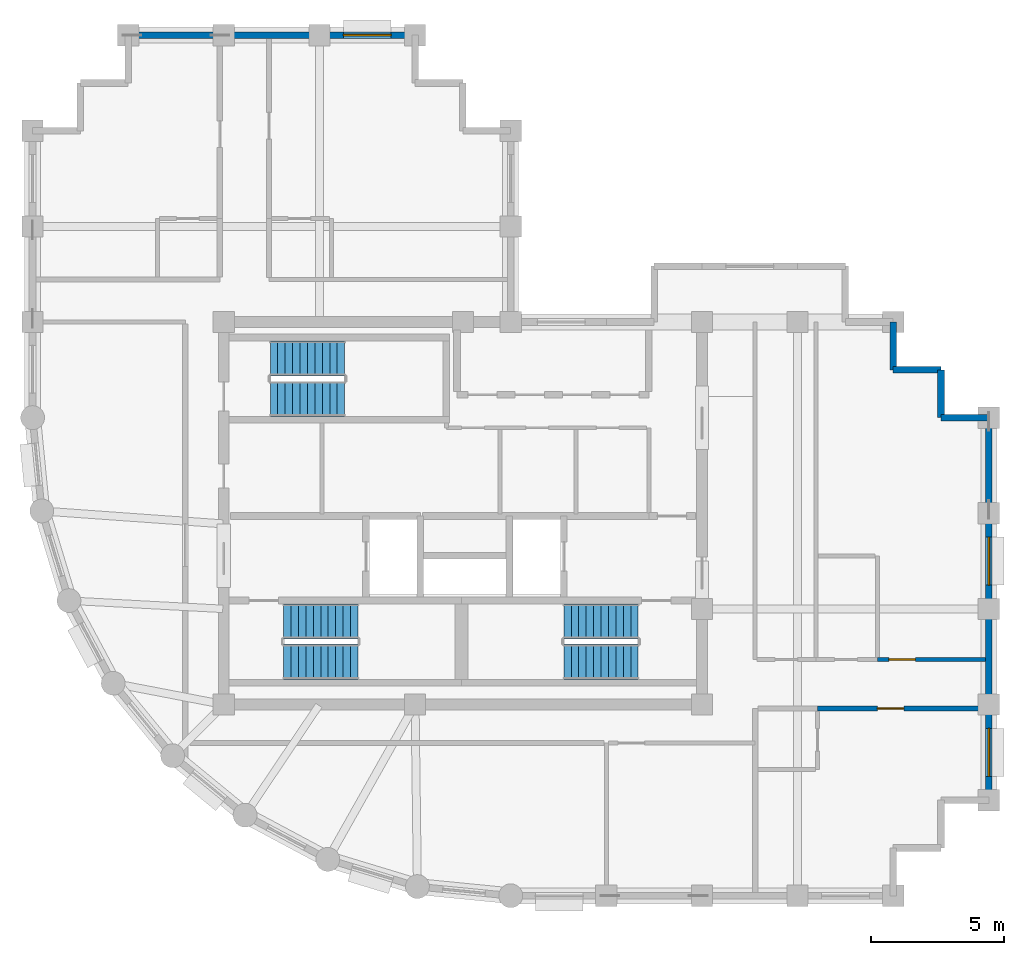
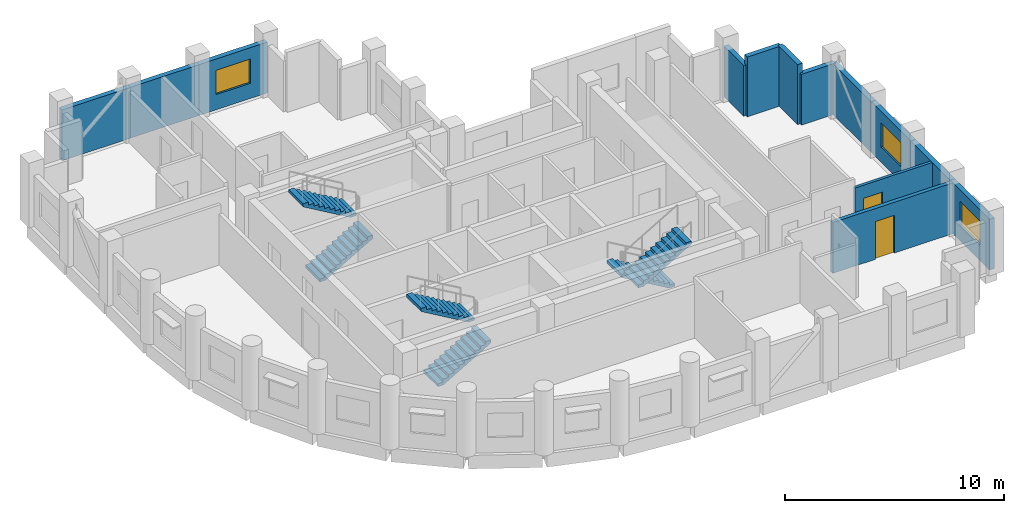
# One storey, part 5 of 7: 13 walls, 6 stair flights, 3 windows, 2 doors, 5 openings, 3 elements without a shape of their own.
"""IFC4 building model written with IfcOpenShell, lengths in metres."""

from ifc_helpers import new_model, si_unit, direction, frame, frame_2d, origin, place, context, subcontext, project, spatial, polyline, rectangle, outline, extrude, material, layer, layer_set, type_object, element, fill, aggregate, save


model = new_model("IFC4")

# Units and contexts
model_context = context("Model", 3, precision=1e-05, world=origin(), true_north=direction((0.0, 1.0)))
body_context = subcontext(model_context, "Body", "Model", "MODEL_VIEW")
ifc_project = project(units=[si_unit("LENGTHUNIT", "METRE"), si_unit("AREAUNIT", "SQUARE_METRE"), si_unit("VOLUMEUNIT", "CUBIC_METRE"), si_unit("PLANEANGLEUNIT", "RADIAN"), si_unit("MASSUNIT", "GRAM", prefix="KILO")], contexts=[model_context])

# Site, building, storey
site_placement = place(None, origin())
site = spatial("IfcSite", under=ifc_project, at=site_placement, CompositionType="ELEMENT")
building_placement = place(site_placement, origin())
building = spatial("IfcBuilding", under=site, at=building_placement, Name="Solnavia Interchange Tower", CompositionType="ELEMENT")
storey_placement = place(building_placement, frame((0.0, 0.0, 281.0)))
storey = spatial("IfcBuildingStorey", under=building, at=storey_placement, Name="L71", CompositionType="ELEMENT", Elevation=281.0)

# Wall, opening, door
ifc_material_1 = material(Name="Gypsum Acoustic Twin-Stud & Mineral Wool", Category="gypsum")
ifc_layer_1 = layer(ifc_material_1, 0.199951171875)
ifc_layer_set_1 = layer_set([ifc_layer_1], Name="Gypsum Acoustic Twin-Stud & Mineral Wool")
wall_type_1 = type_object("IfcWallType", Name="Wall-ApartmentParty-200", PredefinedType="PARTITIONING", material=ifc_layer_set_1)
wall_1_placement = place(storey_placement, frame((36.75, 10.64990234375, 0.0), z_axis=(0.0, 0.0, 1.0), x_axis=(1.0, 0.0, 0.0)))
wall_1 = element("IfcWall", 1, at=wall_1_placement, inside=storey, type_object=wall_type_1, Name="PTW-L71-14 Interior partition wall", PredefinedType="PARTITIONING", context=body_context, shape_type="SweptSolid", body=[
    extrude(rectangle(XDim=6.321044921875, YDim=0.199951171875, at=frame_2d((3.16064453125, 0.0))), origin(), (0.0, 0.0, 1.0), 2.830078125),
])
opening_1_placement = place(wall_1_placement, frame((2.251953125, 0.0, 0.0)))
opening_1 = element("IfcOpeningElement", 2, at=opening_1_placement, cuts=wall_1, Name="Opening DR-06", PredefinedType="OPENING", context=body_context, shape_type="SweptSolid", body=[
    extrude(rectangle(XDim=1.0, YDim=2.10009765625, at=frame_2d((0.5, 1.050048828125))), frame((0.0, 0.10986328125, 0.0), z_axis=(0.0, -1.0, 0.0), x_axis=(1.0, 0.0, 0.0)), (0.0, 0.0, 1.0), 0.219970703125),
])
ifc_material_2 = material(Name="Engineered Timber Acoustic Fire Door", Category="wood")
door_type_1 = type_object("IfcDoorType", Name="Door-FlatEntry-1000x2100", OperationType="SINGLE_SWING_LEFT", PredefinedType="DOOR", material=ifc_material_2)
door_1_placement = place(opening_1_placement, origin())
door_1 = element("IfcDoor", 3, at=door_1_placement, inside=storey, type_object=door_type_1, Name="DR-L71-05 Interior room door", OperationType="SINGLE_SWING_LEFT", OverallHeight=2.10009765625, OverallWidth=1.0, PredefinedType="DOOR", context=body_context, shape_type="SweptSolid", body=[
    extrude(rectangle(XDim=1.0, YDim=2.10009765625, at=frame_2d((0.5, 1.050048828125))), frame((0.0, 0.02490234375, 0.0), z_axis=(0.0, -1.0, 0.0), x_axis=(1.0, 0.0, 0.0)), (0.0, 0.0, 1.0), 0.050048828125),
])
fill(opening_1, door_1)

# Wall, opening, window
ifc_material_3 = material(Name="Concrete C40/50", Category="concrete")
ifc_layer_2 = layer(ifc_material_3, 0.25)
ifc_layer_set_2 = layer_set([ifc_layer_2], Name="Concrete C40/50")
wall_type_2 = type_object("IfcWallType", Name="Wall-ExtSpandrel-250", PredefinedType="STANDARD", material=ifc_layer_set_2)
wall_2_placement = place(storey_placement, frame((43.199951171875, 10.800048828125, 0.0), z_axis=(0.0, 0.0, 1.0), x_axis=(0.0, -1.0, 0.0)))
wall_2 = element("IfcWall", 4, at=wall_2_placement, inside=storey, type_object=wall_type_2, Name="EXW-L71-09 Exterior precast spandrel wall", PredefinedType="STANDARD", context=body_context, shape_type="SweptSolid", body=[
    extrude(rectangle(XDim=3.60009765625, YDim=0.25, at=frame_2d((1.800048828125, 0.0))), origin(), (0.0, 0.0, 1.0), 2.830078125),
])
opening_2_placement = place(wall_2_placement, frame((0.89990234375, 0.0, 0.85009765625)))
opening_2 = element("IfcOpeningElement", 5, at=opening_2_placement, cuts=wall_2, Name="Opening WIN-02", PredefinedType="OPENING", context=body_context, shape_type="SweptSolid", body=[
    extrude(rectangle(XDim=1.800048828125, YDim=1.35009765625, at=frame_2d((0.89990234375, 0.675048828125))), frame((0.0, 0.135009765625, 0.0), z_axis=(0.0, -1.0, 0.0), x_axis=(1.0, 0.0, 0.0)), (0.0, 0.0, 1.0), 0.27001953125),
])
ifc_material_4 = material(Name="Thermal-Break Aluminium & Low-E Glass", Category="aluminium")
window_type = type_object("IfcWindowType", Name="Window-Ribbon-1800x1350", PartitioningType="SINGLE_PANEL", PredefinedType="WINDOW", material=ifc_material_4)
window_1_placement = place(opening_2_placement, origin())
window_1 = element("IfcWindow", 6, at=window_1_placement, inside=storey, type_object=window_type, Name="WIN-L71-09 Facade ribbon window", OverallHeight=1.35009765625, OverallWidth=1.800048828125, PartitioningType="SINGLE_PANEL", PredefinedType="WINDOW", context=body_context, shape_type="SweptSolid", body=[
    extrude(rectangle(XDim=1.800048828125, YDim=1.35009765625, at=frame_2d((0.89990234375, 0.675048828125))), frame((0.0, 0.030029296875, 0.0), z_axis=(0.0, -1.0, 0.0), x_axis=(1.0, 0.0, 0.0)), (0.0, 0.0, 1.0), 0.06005859375),
])
fill(opening_2, window_1)

# Wall
wall_3_placement = place(storey_placement, frame((43.199951171875, 14.39990234375, 0.0), z_axis=(0.0, 0.0, 1.0), x_axis=(0.0, -1.0, 0.0)))
element("IfcWall", 7, at=wall_3_placement, inside=storey, type_object=wall_type_2, Name="EXW-L71-10 Exterior precast spandrel wall", PredefinedType="STANDARD", context=body_context, shape_type="SweptSolid", body=[
    extrude(rectangle(XDim=3.599853515625, YDim=0.25, at=frame_2d((1.7998046875, 0.0))), origin(), (0.0, 0.0, 1.0), 2.830078125),
])

# Wall, opening, window
wall_4_placement = place(storey_placement, frame((43.199951171875, 18.0, 0.0), z_axis=(0.0, 0.0, 1.0), x_axis=(0.0, -1.0, 0.0)))
wall_4 = element("IfcWall", 8, at=wall_4_placement, inside=storey, type_object=wall_type_2, Name="EXW-L71-11 Exterior precast spandrel wall", PredefinedType="STANDARD", context=body_context, shape_type="SweptSolid", body=[
    extrude(rectangle(XDim=3.60009765625, YDim=0.25, at=frame_2d((1.800048828125, 0.0))), origin(), (0.0, 0.0, 1.0), 2.830078125),
])
opening_3_placement = place(wall_4_placement, frame((0.89990234375, 0.0, 0.85009765625)))
opening_3 = element("IfcOpeningElement", 9, at=opening_3_placement, cuts=wall_4, Name="Opening WIN-02", PredefinedType="OPENING", context=body_context, shape_type="SweptSolid", body=[
    extrude(rectangle(XDim=1.800048828125, YDim=1.35009765625, at=frame_2d((0.89990234375, 0.675048828125))), frame((0.0, 0.135009765625, 0.0), z_axis=(0.0, -1.0, 0.0), x_axis=(1.0, 0.0, 0.0)), (0.0, 0.0, 1.0), 0.27001953125),
])
window_2_placement = place(opening_3_placement, origin())
window_2 = element("IfcWindow", 10, at=window_2_placement, inside=storey, type_object=window_type, Name="WIN-L71-11 Facade ribbon window", OverallHeight=1.35009765625, OverallWidth=1.800048828125, PartitioningType="SINGLE_PANEL", PredefinedType="WINDOW", context=body_context, shape_type="SweptSolid", body=[
    extrude(rectangle(XDim=1.800048828125, YDim=1.35009765625, at=frame_2d((0.89990234375, 0.675048828125))), frame((0.0, 0.030029296875, 0.0), z_axis=(0.0, -1.0, 0.0), x_axis=(1.0, 0.0, 0.0)), (0.0, 0.0, 1.0), 0.06005859375),
])
fill(opening_3, window_2)

# Walls
wall_5_placement = place(storey_placement, frame((43.199951171875, 21.60009765625, 0.0), z_axis=(0.0, 0.0, 1.0), x_axis=(0.0, -1.0, 0.0)))
element("IfcWall", 11, at=wall_5_placement, inside=storey, type_object=wall_type_2, Name="EXW-L71-12 Exterior precast spandrel wall", PredefinedType="STANDARD", context=body_context, shape_type="SweptSolid", body=[
    extrude(rectangle(XDim=3.60009765625, YDim=0.25, at=frame_2d((1.800048828125, 0.0))), origin(), (0.0, 0.0, 1.0), 2.830078125),
])
wall_6_placement = place(storey_placement, frame((41.39990234375, 21.60009765625, 0.0), z_axis=(0.0, 0.0, 1.0), x_axis=(1.0, 0.0, 0.0)))
element("IfcWall", 12, at=wall_6_placement, inside=storey, type_object=wall_type_2, Name="EXW-L71-13 Exterior precast spandrel wall", PredefinedType="STANDARD", context=body_context, shape_type="SweptSolid", body=[
    extrude(rectangle(XDim=1.800048828125, YDim=0.25, at=frame_2d((0.89990234375, 0.0))), origin(), (0.0, 0.0, 1.0), 2.830078125),
])
for number, where, z_axis, x_axis, name in (
    (13, (41.39990234375, 23.39990234375, 0.0), (0.0, 0.0, 1.0), (0.0, -1.0, 0.0), "EXW-L71-14 Exterior precast spandrel wall"),
    (14, (39.60009765625, 23.39990234375, 0.0), (0.0, 0.0, 1.0), (1.0, 0.0, 0.0), "EXW-L71-15 Exterior precast spandrel wall"),
):
    element("IfcWall", number, at=place(storey_placement, frame(where, z_axis=z_axis, x_axis=x_axis)), inside=storey, type_object=wall_type_2, Name=name, PredefinedType="STANDARD", context=body_context, shape_type="SweptSolid", body=[
        extrude(rectangle(XDim=1.7998046875, YDim=0.25, at=frame_2d((0.89990234375, 0.0))), origin(), (0.0, 0.0, 1.0), 3.3349609375),
    ])
wall_7_placement = place(storey_placement, frame((39.60009765625, 25.199951171875, 0.0), z_axis=(0.0, 0.0, 1.0), x_axis=(0.0, -1.0, 0.0)))
element("IfcWall", 15, at=wall_7_placement, inside=storey, type_object=wall_type_2, Name="EXW-L71-16 Exterior precast spandrel wall", PredefinedType="STANDARD", context=body_context, shape_type="SweptSolid", body=[
    extrude(rectangle(XDim=1.800048828125, YDim=0.25, at=frame_2d((0.89990234375, 0.0))), origin(), (0.0, 0.0, 1.0), 2.830078125),
])

# Wall, opening, window
wall_8_placement = place(storey_placement, frame((18.0, 36.0, 0.0), z_axis=(0.0, 0.0, 1.0), x_axis=(1.0, 0.0, 0.0)))
wall_8 = element("IfcWall", 16, at=wall_8_placement, inside=storey, type_object=wall_type_2, Name="EXW-L71-31 Exterior precast spandrel wall", PredefinedType="STANDARD", context=body_context, shape_type="SweptSolid", body=[
    extrude(rectangle(XDim=3.60009765625, YDim=0.25, at=frame_2d((1.800048828125, 0.0))), origin(), (0.0, 0.0, 1.0), 2.830078125),
])
opening_4_placement = place(wall_8_placement, frame((0.89990234375, 0.0, 0.85009765625)))
opening_4 = element("IfcOpeningElement", 17, at=opening_4_placement, cuts=wall_8, Name="Opening WIN-02", PredefinedType="OPENING", context=body_context, shape_type="SweptSolid", body=[
    extrude(rectangle(XDim=1.800048828125, YDim=1.35009765625, at=frame_2d((0.89990234375, 0.675048828125))), frame((0.0, 0.135009765625, 0.0), z_axis=(0.0, -1.0, 0.0), x_axis=(1.0, 0.0, 0.0)), (0.0, 0.0, 1.0), 0.27001953125),
])
window_3_placement = place(opening_4_placement, origin())
window_3 = element("IfcWindow", 18, at=window_3_placement, inside=storey, type_object=window_type, Name="WIN-L71-31 Facade ribbon window", OverallHeight=1.35009765625, OverallWidth=1.800048828125, PartitioningType="SINGLE_PANEL", PredefinedType="WINDOW", context=body_context, shape_type="SweptSolid", body=[
    extrude(rectangle(XDim=1.800048828125, YDim=1.35009765625, at=frame_2d((0.89990234375, 0.675048828125))), frame((0.0, 0.030029296875, 0.0), z_axis=(0.0, -1.0, 0.0), x_axis=(1.0, 0.0, 0.0)), (0.0, 0.0, 1.0), 0.06005859375),
])
fill(opening_4, window_3)

# Walls
wall_9_placement = place(storey_placement, frame((14.39990234375, 36.0, 0.0), z_axis=(0.0, 0.0, 1.0), x_axis=(1.0, 0.0, 0.0)))
element("IfcWall", 19, at=wall_9_placement, inside=storey, type_object=wall_type_2, Name="EXW-L71-32 Exterior precast spandrel wall", PredefinedType="STANDARD", context=body_context, shape_type="SweptSolid", body=[
    extrude(rectangle(XDim=3.60009765625, YDim=0.25, at=frame_2d((1.800048828125, 0.0))), origin(), (0.0, 0.0, 1.0), 2.830078125),
])
wall_10_placement = place(storey_placement, frame((10.800048828125, 36.0, 0.0), z_axis=(0.0, 0.0, 1.0), x_axis=(1.0, 0.0, 0.0)))
element("IfcWall", 20, at=wall_10_placement, inside=storey, type_object=wall_type_2, Name="EXW-L71-33 Exterior precast spandrel wall", PredefinedType="STANDARD", context=body_context, shape_type="SweptSolid", body=[
    extrude(rectangle(XDim=3.599853515625, YDim=0.25, at=frame_2d((1.7998046875, 0.0))), origin(), (0.0, 0.0, 1.0), 2.830078125),
])

# Wall, opening, door
ifc_material_5 = material(Name="Gypsum Plasterboard & Steel Stud", Category="steel")
ifc_layer_3 = layer(ifc_material_5, 0.14990234375)
ifc_layer_set_3 = layer_set([ifc_layer_3], Name="Gypsum Plasterboard & Steel Stud")
wall_type_3 = type_object("IfcWallType", Name="Wall-Partition-150", PredefinedType="PARTITIONING", material=ifc_layer_set_3)
wall_11_placement = place(storey_placement, frame((39.0, 12.5, 0.0), z_axis=(0.0, 0.0, 1.0), x_axis=(1.0, 0.0, 0.0)))
wall_11 = element("IfcWall", 21, at=wall_11_placement, inside=storey, type_object=wall_type_3, Name="PTW-L71-17 Interior partition wall", PredefinedType="PARTITIONING", context=body_context, shape_type="SweptSolid", body=[
    extrude(rectangle(XDim=4.071044921875, YDim=0.14990234375, at=frame_2d((2.03564453125, 0.0))), origin(), (0.0, 0.0, 1.0), 2.830078125),
])
opening_5_placement = place(wall_11_placement, frame((0.43798828125, 0.0, 0.0)))
opening_5 = element("IfcOpeningElement", 22, at=opening_5_placement, cuts=wall_11, Name="Opening DR-07", PredefinedType="OPENING", context=body_context, shape_type="SweptSolid", body=[
    extrude(rectangle(XDim=1.0, YDim=2.10009765625, at=frame_2d((0.5, 1.050048828125))), frame((0.0, 0.0849609375, 0.0), z_axis=(0.0, -1.0, 0.0), x_axis=(1.0, 0.0, 0.0)), (0.0, 0.0, 1.0), 0.169921875),
])
ifc_material_6 = material(Name="Timber & Acoustic Glazed Office Door", Category="wood")
door_type_2 = type_object("IfcDoorType", Name="Door-Office-1000x2100", OperationType="SINGLE_SWING_RIGHT", PredefinedType="DOOR", material=ifc_material_6)
door_2_placement = place(opening_5_placement, origin())
door_2 = element("IfcDoor", 23, at=door_2_placement, inside=storey, type_object=door_type_2, Name="DR-L71-07 Interior room door", OperationType="SINGLE_SWING_RIGHT", OverallHeight=2.10009765625, OverallWidth=1.0, PredefinedType="DOOR", context=body_context, shape_type="SweptSolid", body=[
    extrude(rectangle(XDim=1.0, YDim=2.10009765625, at=frame_2d((0.5, 1.050048828125))), frame((0.0, 0.02490234375, 0.0), z_axis=(0.0, -1.0, 0.0), x_axis=(1.0, 0.0, 0.0)), (0.0, 0.0, 1.0), 0.050048828125),
])
fill(opening_5, door_2)

# Stair, stair flights
stair_type = type_object("IfcStairType", Name="Stair-Dogleg-RC", PredefinedType="HALF_TURN_STAIR", material=ifc_material_3)
stair_1_placement = place(storey_placement, origin())
stair_1 = element("IfcStair", 24, at=stair_1_placement, inside=storey, type_object=stair_type, Name="L71 Core exit stair 1", PredefinedType="HALF_TURN_STAIR")
stair_flight_type = type_object("IfcStairFlightType", Name="StairFlight-RC-150", PredefinedType="STRAIGHT", material=ifc_material_3)
stair_flight_1_placement = place(storey_placement, frame((16.64990234375, 12.409912109375, 0.0), z_axis=(0.0, 0.0, 1.0), x_axis=(1.0, 0.0, 0.0)))
stair_flight_1 = element("IfcStairFlight", 25, at=stair_flight_1_placement, type_object=stair_flight_type, Name="ST-1 flight 1", NumberOfRisers=11, NumberOfTreads=10, PredefinedType="STRAIGHT", RiserHeight=0.163636364, TreadLength=0.28, context=body_context, shape_type="SweptSolid", body=[
    extrude(outline(polyline([(0.0, 0.0), (0.0, 0.16357421875), (0.280029296875, 0.16357421875), (0.280029296875, 0.327392578125), (0.56005859375, 0.327392578125), (0.56005859375, 0.490966796875), (0.840087890625, 0.490966796875), (0.840087890625, 0.654541015625), (1.1201171875, 0.654541015625), (1.1201171875, 0.818115234375), (1.39990234375, 0.818115234375), (1.39990234375, 0.98193359375), (1.679931640625, 0.98193359375), (1.679931640625, 1.1455078125), (1.9599609375, 1.1455078125), (1.9599609375, 1.30908203125), (2.239990234375, 1.30908203125), (2.239990234375, 1.47265625), (2.52001953125, 1.47265625), (2.52001953125, 1.636474609375), (2.800048828125, 1.636474609375), (2.800048828125, 1.800048828125), (2.800048828125, 1.462646484375), (0.297119140625, 0.0), (0.0, 0.0)])), frame((0.0, 0.66015625, 0.0), z_axis=(0.0, -1.0, 0.0), x_axis=(1.0, 0.0, 0.0)), (0.0, 0.0, 1.0), 1.320068359375),
])
stair_flight_2_placement = place(storey_placement, frame((19.449951171875, 13.929931640625, 1.800048828125), z_axis=(0.0, 0.0, 1.0), x_axis=(-1.0, 0.0, 0.0)))
stair_flight_2 = element("IfcStairFlight", 26, at=stair_flight_2_placement, type_object=stair_flight_type, Name="ST-1 flight 2", NumberOfRisers=11, NumberOfTreads=10, PredefinedType="STRAIGHT", RiserHeight=0.163636364, TreadLength=0.28, context=body_context, shape_type="SweptSolid", body=[
    extrude(outline(polyline([(0.0, 0.0), (0.0, 0.16357421875), (0.280029296875, 0.16357421875), (0.280029296875, 0.327392578125), (0.56005859375, 0.327392578125), (0.56005859375, 0.490966796875), (0.840087890625, 0.490966796875), (0.840087890625, 0.654541015625), (1.1201171875, 0.654541015625), (1.1201171875, 0.818115234375), (1.39990234375, 0.818115234375), (1.39990234375, 0.98193359375), (1.679931640625, 0.98193359375), (1.679931640625, 1.1455078125), (1.9599609375, 1.1455078125), (1.9599609375, 1.30908203125), (2.239990234375, 1.30908203125), (2.239990234375, 1.47265625), (2.52001953125, 1.47265625), (2.52001953125, 1.636474609375), (2.800048828125, 1.636474609375), (2.800048828125, 1.800048828125), (2.800048828125, 1.462646484375), (0.297119140625, 0.0), (0.0, 0.0)])), frame((0.0, 0.66015625, 0.0), z_axis=(0.0, -1.0, 0.0), x_axis=(1.0, 0.0, 0.0)), (0.0, 0.0, 1.0), 1.320068359375),
])
aggregate(stair_1, [stair_flight_1, stair_flight_2])

stair_2_placement = place(storey_placement, origin())
stair_2 = element("IfcStair", 27, at=stair_2_placement, inside=storey, type_object=stair_type, Name="L71 Core exit stair 2", PredefinedType="HALF_TURN_STAIR")
stair_flight_3_placement = place(storey_placement, frame((30.0, 13.929931640625, 0.0), z_axis=(0.0, 0.0, 1.0), x_axis=(-1.0, 0.0, 0.0)))
stair_flight_3 = element("IfcStairFlight", 28, at=stair_flight_3_placement, type_object=stair_flight_type, Name="ST-2 flight 1", NumberOfRisers=11, NumberOfTreads=10, PredefinedType="STRAIGHT", RiserHeight=0.163636364, TreadLength=0.28, context=body_context, shape_type="SweptSolid", body=[
    extrude(outline(polyline([(0.0, 0.0), (0.0, 0.16357421875), (0.280029296875, 0.16357421875), (0.280029296875, 0.327392578125), (0.56005859375, 0.327392578125), (0.56005859375, 0.490966796875), (0.840087890625, 0.490966796875), (0.840087890625, 0.654541015625), (1.1201171875, 0.654541015625), (1.1201171875, 0.818115234375), (1.39990234375, 0.818115234375), (1.39990234375, 0.98193359375), (1.679931640625, 0.98193359375), (1.679931640625, 1.1455078125), (1.9599609375, 1.1455078125), (1.9599609375, 1.30908203125), (2.239990234375, 1.30908203125), (2.239990234375, 1.47265625), (2.52001953125, 1.47265625), (2.52001953125, 1.636474609375), (2.800048828125, 1.636474609375), (2.800048828125, 1.800048828125), (2.800048828125, 1.462646484375), (0.297119140625, 0.0), (0.0, 0.0)])), frame((0.0, 0.66015625, 0.0), z_axis=(0.0, -1.0, 0.0), x_axis=(1.0, 0.0, 0.0)), (0.0, 0.0, 1.0), 1.320068359375),
])
stair_flight_4_placement = place(storey_placement, frame((27.199951171875, 12.409912109375, 1.800048828125), z_axis=(0.0, 0.0, 1.0), x_axis=(1.0, 0.0, 0.0)))
stair_flight_4 = element("IfcStairFlight", 29, at=stair_flight_4_placement, type_object=stair_flight_type, Name="ST-2 flight 2", NumberOfRisers=11, NumberOfTreads=10, PredefinedType="STRAIGHT", RiserHeight=0.163636364, TreadLength=0.28, context=body_context, shape_type="SweptSolid", body=[
    extrude(outline(polyline([(0.0, 0.0), (0.0, 0.16357421875), (0.280029296875, 0.16357421875), (0.280029296875, 0.327392578125), (0.56005859375, 0.327392578125), (0.56005859375, 0.490966796875), (0.840087890625, 0.490966796875), (0.840087890625, 0.654541015625), (1.1201171875, 0.654541015625), (1.1201171875, 0.818115234375), (1.39990234375, 0.818115234375), (1.39990234375, 0.98193359375), (1.679931640625, 0.98193359375), (1.679931640625, 1.1455078125), (1.9599609375, 1.1455078125), (1.9599609375, 1.30908203125), (2.239990234375, 1.30908203125), (2.239990234375, 1.47265625), (2.52001953125, 1.47265625), (2.52001953125, 1.636474609375), (2.800048828125, 1.636474609375), (2.800048828125, 1.800048828125), (2.800048828125, 1.462646484375), (0.297119140625, 0.0), (0.0, 0.0)])), frame((0.0, 0.66015625, 0.0), z_axis=(0.0, -1.0, 0.0), x_axis=(1.0, 0.0, 0.0)), (0.0, 0.0, 1.0), 1.320068359375),
])
aggregate(stair_2, [stair_flight_3, stair_flight_4])

stair_3_placement = place(storey_placement, origin())
stair_3 = element("IfcStair", 30, at=stair_3_placement, inside=storey, type_object=stair_type, Name="L71 Core exit stair 3", PredefinedType="HALF_TURN_STAIR")
stair_flight_5_placement = place(storey_placement, frame((16.14990234375, 22.31005859375, 0.0), z_axis=(0.0, 0.0, 1.0), x_axis=(1.0, 0.0, 0.0)))
stair_flight_5 = element("IfcStairFlight", 31, at=stair_flight_5_placement, type_object=stair_flight_type, Name="ST-3 flight 1", NumberOfRisers=11, NumberOfTreads=10, PredefinedType="STRAIGHT", RiserHeight=0.163636364, TreadLength=0.28, context=body_context, shape_type="SweptSolid", body=[
    extrude(outline(polyline([(0.0, 0.0), (0.0, 0.16357421875), (0.280029296875, 0.16357421875), (0.280029296875, 0.327392578125), (0.56005859375, 0.327392578125), (0.56005859375, 0.490966796875), (0.840087890625, 0.490966796875), (0.840087890625, 0.654541015625), (1.1201171875, 0.654541015625), (1.1201171875, 0.818115234375), (1.39990234375, 0.818115234375), (1.39990234375, 0.98193359375), (1.679931640625, 0.98193359375), (1.679931640625, 1.1455078125), (1.9599609375, 1.1455078125), (1.9599609375, 1.30908203125), (2.239990234375, 1.30908203125), (2.239990234375, 1.47265625), (2.52001953125, 1.47265625), (2.52001953125, 1.636474609375), (2.800048828125, 1.636474609375), (2.800048828125, 1.800048828125), (2.800048828125, 1.462646484375), (0.297119140625, 0.0), (0.0, 0.0)])), frame((0.0, 0.66015625, 0.0), z_axis=(0.0, -1.0, 0.0), x_axis=(1.0, 0.0, 0.0)), (0.0, 0.0, 1.0), 1.320068359375),
])
stair_flight_6_placement = place(storey_placement, frame((18.949951171875, 23.830078125, 1.800048828125), z_axis=(0.0, 0.0, 1.0), x_axis=(-1.0, 0.0, 0.0)))
stair_flight_6 = element("IfcStairFlight", 32, at=stair_flight_6_placement, type_object=stair_flight_type, Name="ST-3 flight 2", NumberOfRisers=11, NumberOfTreads=10, PredefinedType="STRAIGHT", RiserHeight=0.163636364, TreadLength=0.28, context=body_context, shape_type="SweptSolid", body=[
    extrude(outline(polyline([(0.0, 0.0), (0.0, 0.16357421875), (0.280029296875, 0.16357421875), (0.280029296875, 0.327392578125), (0.56005859375, 0.327392578125), (0.56005859375, 0.490966796875), (0.840087890625, 0.490966796875), (0.840087890625, 0.654541015625), (1.1201171875, 0.654541015625), (1.1201171875, 0.818115234375), (1.39990234375, 0.818115234375), (1.39990234375, 0.98193359375), (1.679931640625, 0.98193359375), (1.679931640625, 1.1455078125), (1.9599609375, 1.1455078125), (1.9599609375, 1.30908203125), (2.239990234375, 1.30908203125), (2.239990234375, 1.47265625), (2.52001953125, 1.47265625), (2.52001953125, 1.636474609375), (2.800048828125, 1.636474609375), (2.800048828125, 1.800048828125), (2.800048828125, 1.462646484375), (0.297119140625, 0.0), (0.0, 0.0)])), frame((0.0, 0.66015625, 0.0), z_axis=(0.0, -1.0, 0.0), x_axis=(1.0, 0.0, 0.0)), (0.0, 0.0, 1.0), 1.320068359375),
])
aggregate(stair_3, [stair_flight_5, stair_flight_6])

save(model, "model.ifc")
